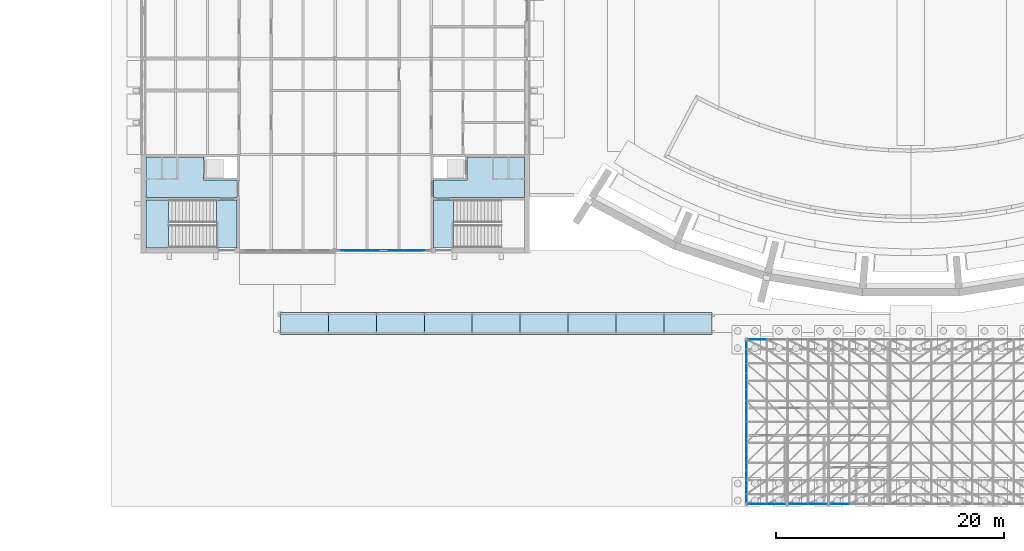
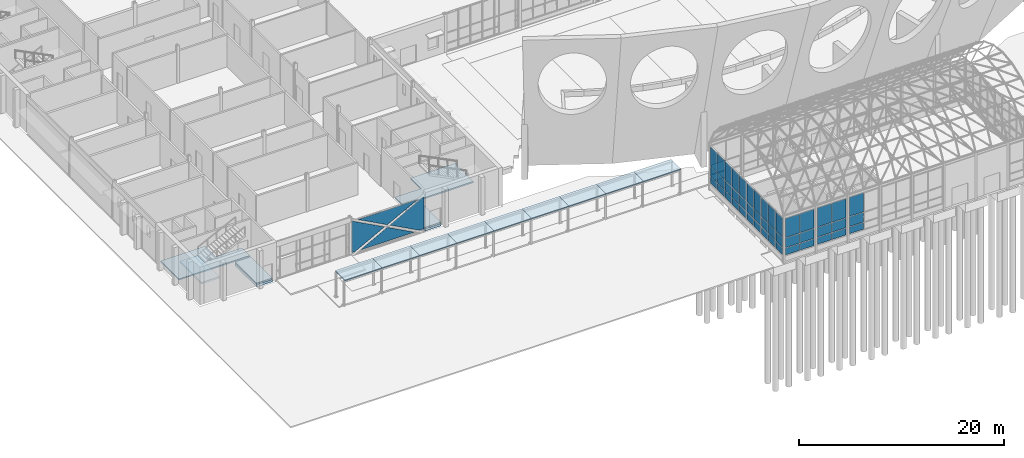
# One storey, part 71 of 116: 51 plates, 16 slabs, 7 elements without a shape of their own.
"""IFC4 building model written with IfcOpenShell, lengths in metres."""

from ifc_helpers import new_model, si_unit, direction, frame, origin, origin_2d, place, context, subcontext, project, spatial, polyline, rectangle, outline, extrude, material, layer, layer_set, type_object, element, aggregate, save


model = new_model("IFC4")

# Units and contexts
model_context = context("Model", 3, precision=1e-05, world=origin(), true_north=direction((0.0, 1.0)))
body_context = subcontext(model_context, "Body", "Model", "MODEL_VIEW")
ifc_project = project(units=[si_unit("LENGTHUNIT", "METRE"), si_unit("AREAUNIT", "SQUARE_METRE"), si_unit("VOLUMEUNIT", "CUBIC_METRE"), si_unit("PLANEANGLEUNIT", "RADIAN"), si_unit("MASSUNIT", "GRAM", prefix="KILO")], contexts=[model_context])

# Site, building, storey
site_placement = place(None, origin())
site = spatial("IfcSite", under=ifc_project, at=site_placement, CompositionType="ELEMENT")
building_placement = place(site_placement, origin())
building = spatial("IfcBuilding", under=site, at=building_placement, Name="Ardhachandra Cancer Care Centre", CompositionType="ELEMENT")
storey_placement = place(building_placement, origin())
storey = spatial("IfcBuildingStorey", under=building, at=storey_placement, Name="L00", CompositionType="ELEMENT", Elevation=0.0)

# Slabs
ifc_material_1 = material(Name="Concrete M40", Category="concrete")
ifc_layer_1 = layer(ifc_material_1, 0.14990234375)
ifc_layer_set_1 = layer_set([ifc_layer_1], Name="Concrete M40")
slab_type_1 = type_object("IfcSlabType", Name="Core floor slab 150", PredefinedType="FLOOR", material=ifc_layer_set_1)
slab_1_placement = place(storey_placement, frame((0.0, 0.0, -0.14990234375)))
element("IfcSlab", 1, at=slab_1_placement, inside=storey, type_object=slab_type_1, Name="Core floor slab K1 L00 1", PredefinedType="FLOOR", context=body_context, shape_type="SweptSolid", body=[
    extrude(outline(polyline([(17.22509765625, 29.625), (17.22509765625, 33.824951171875), (19.0, 33.824951171875), (19.0, 29.625), (17.22509765625, 29.625)])), origin(), (0.0, 0.0, 1.0), 0.14990234375),
])
slab_2_placement = place(storey_placement, frame((0.0, 0.0, -0.14990234375)))
element("IfcSlab", 2, at=slab_2_placement, inside=storey, type_object=slab_type_1, Name="Core floor slab K1 L00 2", PredefinedType="FLOOR", context=body_context, shape_type="SweptSolid", body=[
    extrude(outline(polyline([(16.050048828125, 37.60009765625), (16.050048828125, 35.75), (16.050048828125, 35.550048828125), (19.0, 35.550048828125), (19.0, 34.02490234375), (11.02490234375, 34.02490234375), (11.02490234375, 37.60009765625), (16.050048828125, 37.60009765625)])), origin(), (0.0, 0.0, 1.0), 0.14990234375),
])
slab_3_placement = place(storey_placement, frame((0.0, 0.0, -0.14990234375)))
element("IfcSlab", 3, at=slab_3_placement, inside=storey, type_object=slab_type_1, Name="Core floor slab K2 L00 1", PredefinedType="FLOOR", context=body_context, shape_type="SweptSolid", body=[
    extrude(outline(polyline([(36.199951171875, 33.824951171875), (37.97509765625, 33.824951171875), (37.97509765625, 29.625), (36.199951171875, 29.625), (36.199951171875, 33.824951171875)])), origin(), (0.0, 0.0, 1.0), 0.14990234375),
])
slab_4_placement = place(storey_placement, frame((0.0, 0.0, -0.14990234375)))
element("IfcSlab", 4, at=slab_4_placement, inside=storey, type_object=slab_type_1, Name="Core floor slab K2 L00 2", PredefinedType="FLOOR", context=body_context, shape_type="SweptSolid", body=[
    extrude(outline(polyline([(44.175048828125, 34.02490234375), (36.199951171875, 34.02490234375), (36.199951171875, 35.550048828125), (39.14990234375, 35.550048828125), (39.14990234375, 35.75), (39.14990234375, 37.60009765625), (44.175048828125, 37.60009765625), (44.175048828125, 34.02490234375)])), origin(), (0.0, 0.0, 1.0), 0.14990234375),
])
ifc_material_2 = material(Name="Concrete M40", Category="concrete")
ifc_layer_2 = layer(ifc_material_2, 0.300048828125)
ifc_layer_set_2 = layer_set([ifc_layer_2], Name="Concrete M40")
slab_type_2 = type_object("IfcSlabType", Name="Core stair edge slab 300", PredefinedType="FLOOR", material=ifc_layer_set_2)
slab_5_placement = place(storey_placement, frame((0.0, 0.0, -0.449951171875)))
element("IfcSlab", 5, at=slab_5_placement, inside=storey, type_object=slab_type_2, Name="Core stair edge slab K1 L00", PredefinedType="FLOOR", context=body_context, shape_type="SweptSolid", body=[
    extrude(outline(polyline([(17.22509765625, 33.824951171875), (19.0, 33.824951171875), (19.0, 29.625), (17.22509765625, 29.625), (17.22509765625, 33.824951171875)])), origin(), (0.0, 0.0, 1.0), 0.300048828125),
])
slab_6_placement = place(storey_placement, frame((0.0, 0.0, -0.449951171875)))
element("IfcSlab", 6, at=slab_6_placement, inside=storey, type_object=slab_type_2, Name="Core stair edge slab K2 L00", PredefinedType="FLOOR", context=body_context, shape_type="SweptSolid", body=[
    extrude(outline(polyline([(36.199951171875, 29.625), (36.199951171875, 33.824951171875), (37.97509765625, 33.824951171875), (37.97509765625, 29.625), (36.199951171875, 29.625)])), origin(), (0.0, 0.0, 1.0), 0.300048828125),
])

# Curtain wall, plates
ifc_material_3 = material(Name="Aluminium extrusion", Category="aluminium")
ifc_layer_3 = layer(ifc_material_3, 0.14990234375)
ifc_layer_set_3 = layer_set([ifc_layer_3], Name="Aluminium extrusion")
curtain_wall_type = type_object("IfcCurtainWallType", Name="Curtain wall run", PredefinedType="NOTDEFINED", material=ifc_layer_set_3)
curtain_wall_1_placement = place(storey_placement, origin())
curtain_wall_1 = element("IfcCurtainWall", 7, at=curtain_wall_1_placement, inside=storey, type_object=curtain_wall_type, Name="Curtain wall L00 s/0027600_0029400", PredefinedType="NOTDEFINED")
ifc_material_4 = material(Name="Low-iron double-glazed unit")
ifc_layer_4 = layer(ifc_material_4, 0.028076171875)
ifc_layer_set_4 = layer_set([ifc_layer_4], Name="Low-iron double-glazed unit")
plate_type_1 = type_object("IfcPlateType", Name="Curtain wall glazing 28", PredefinedType="CURTAIN_PANEL", material=ifc_layer_set_4)
plate_1_placement = place(storey_placement, frame((35.93994140625, 29.39990234375, 3.7900390625), z_axis=(0.0, 1.0, 0.0), x_axis=(0.0, 0.0, -1.0)))
plate_1 = element("IfcPlate", 8, at=plate_1_placement, type_object=plate_type_1, Name="CW panel 1.1", PredefinedType="CURTAIN_PANEL", context=body_context, shape_type="SweptSolid", body=[
    extrude(outline(polyline([(0.0, 0.0), (3.72998046875, 0.0), (3.72998046875, 0.50732421875), (1.93994140625, 3.848876953125), (0.0, 0.2275390625), (0.0, 0.0)])), origin(), (0.0, 0.0, 1.0), 0.028076171875),
])
plate_2_placement = place(storey_placement, frame((35.130126953125, 29.39990234375, 3.7900390625), z_axis=(0.0, 1.0, 0.0), x_axis=(-0.881483812908, 0.0, -0.47221423907)))
plate_2 = element("IfcPlate", 9, at=plate_2_placement, type_object=plate_type_1, Name="CW panel 1.1", PredefinedType="CURTAIN_PANEL", context=body_context, shape_type="SweptSolid", body=[
    extrude(outline(polyline([(0.0, 0.0), (3.77783203125, 0.0), (5.87109375, 3.14501953125), (0.0, 0.0)])), frame((0.0, 0.0, -0.028076171875)), (0.0, 0.0, 1.0), 0.028076171875),
])
plate_3_placement = place(storey_placement, frame((27.81005859375, 29.39990234375, 0.06005859375), z_axis=(0.0, 1.0, 0.0), x_axis=(0.0, 0.0, 1.0)))
plate_3 = element("IfcPlate", 10, at=plate_3_placement, type_object=plate_type_1, Name="CW panel 1.1", PredefinedType="CURTAIN_PANEL", context=body_context, shape_type="SweptSolid", body=[
    extrude(outline(polyline([(0.0, 0.0), (3.72998046875, 0.0), (3.72998046875, 0.077392578125), (1.7900390625, 3.69873046875), (0.0, 0.357421875), (0.0, 0.0)])), origin(), (0.0, 0.0, 1.0), 0.028076171875),
])
plate_4_placement = place(storey_placement, frame((28.749755859375, 29.39990234375, 0.06005859375), z_axis=(0.0, 1.0, 0.0), x_axis=(0.881486263061, 0.0, 0.472209665333)))
plate_4 = element("IfcPlate", 11, at=plate_4_placement, type_object=plate_type_1, Name="CW panel 1.1", PredefinedType="CURTAIN_PANEL", context=body_context, shape_type="SweptSolid", body=[
    extrude(outline(polyline([(0.0, 0.0), (3.46044921875, 0.0), (5.37744140625, 2.880615234375), (0.0, 0.0)])), frame((0.0, 0.0, -0.028076171875)), (0.0, 0.0, 1.0), 0.028076171875),
])
aggregate(curtain_wall_1, [plate_1, plate_2, plate_3, plate_4])

curtain_wall_2_placement = place(storey_placement, origin())
curtain_wall_2 = element("IfcCurtainWall", 12, at=curtain_wall_2_placement, inside=storey, type_object=curtain_wall_type, Name="Curtain wall L00 s/0063600_0007200", PredefinedType="NOTDEFINED")
plate_5_placement = place(storey_placement, frame((64.572509765625, 7.199951171875, 1.5302734375), z_axis=(0.0, 0.0, 1.0), x_axis=(1.0, 0.0, 0.0)))
plate_5 = element("IfcPlate", 13, at=plate_5_placement, type_object=plate_type_1, Name="CW panel 1.2", PredefinedType="CURTAIN_PANEL", context=body_context, shape_type="SweptSolid", body=[
    extrude(rectangle(XDim=1.594970703125, YDim=0.028076171875, at=origin_2d()), origin(), (0.0, 0.0, 1.0), 1.139892578125),
])
plate_6_placement = place(storey_placement, frame((64.572509765625, 7.199951171875, 2.72998046875), z_axis=(0.0, 0.0, 1.0), x_axis=(1.0, 0.0, 0.0)))
plate_6 = element("IfcPlate", 14, at=plate_6_placement, type_object=plate_type_1, Name="CW panel 1.3", PredefinedType="CURTAIN_PANEL", context=body_context, shape_type="SweptSolid", body=[
    extrude(rectangle(XDim=1.594970703125, YDim=0.028076171875, at=origin_2d()), origin(), (0.0, 0.0, 1.0), 2.260009765625),
])
plate_7_placement = place(storey_placement, frame((66.2275390625, 7.199951171875, 1.5302734375), z_axis=(0.0, 0.0, 1.0), x_axis=(1.0, 0.0, 0.0)))
plate_7 = element("IfcPlate", 15, at=plate_7_placement, type_object=plate_type_1, Name="CW panel 2.2", PredefinedType="CURTAIN_PANEL", context=body_context, shape_type="SweptSolid", body=[
    extrude(rectangle(XDim=1.594970703125, YDim=0.028076171875, at=origin_2d()), origin(), (0.0, 0.0, 1.0), 1.139892578125),
])
plate_8_placement = place(storey_placement, frame((66.2275390625, 7.199951171875, 2.72998046875), z_axis=(0.0, 0.0, 1.0), x_axis=(1.0, 0.0, 0.0)))
plate_8 = element("IfcPlate", 16, at=plate_8_placement, type_object=plate_type_1, Name="CW panel 2.3", PredefinedType="CURTAIN_PANEL", context=body_context, shape_type="SweptSolid", body=[
    extrude(rectangle(XDim=1.594970703125, YDim=0.028076171875, at=origin_2d()), origin(), (0.0, 0.0, 1.0), 2.260009765625),
])

curtain_wall_3_placement = place(storey_placement, origin())
curtain_wall_3 = element("IfcCurtainWall", 17, at=curtain_wall_3_placement, inside=storey, type_object=curtain_wall_type, Name="Curtain wall L00 s/0067200_0007200", PredefinedType="NOTDEFINED")
plate_9_placement = place(storey_placement, frame((68.172607421875, 7.199951171875, 1.5302734375), z_axis=(0.0, 0.0, 1.0), x_axis=(1.0, 0.0, 0.0)))
plate_9 = element("IfcPlate", 18, at=plate_9_placement, type_object=plate_type_1, Name="CW panel 1.2", PredefinedType="CURTAIN_PANEL", context=body_context, shape_type="SweptSolid", body=[
    extrude(rectangle(XDim=1.594970703125, YDim=0.028076171875, at=origin_2d()), origin(), (0.0, 0.0, 1.0), 1.139892578125),
])
plate_10_placement = place(storey_placement, frame((68.172607421875, 7.199951171875, 2.72998046875), z_axis=(0.0, 0.0, 1.0), x_axis=(1.0, 0.0, 0.0)))
plate_10 = element("IfcPlate", 19, at=plate_10_placement, type_object=plate_type_1, Name="CW panel 1.3", PredefinedType="CURTAIN_PANEL", context=body_context, shape_type="SweptSolid", body=[
    extrude(rectangle(XDim=1.594970703125, YDim=0.028076171875, at=origin_2d()), origin(), (0.0, 0.0, 1.0), 2.260009765625),
])
plate_11_placement = place(storey_placement, frame((69.827392578125, 7.199951171875, 1.5302734375), z_axis=(0.0, 0.0, 1.0), x_axis=(1.0, 0.0, 0.0)))
plate_11 = element("IfcPlate", 20, at=plate_11_placement, type_object=plate_type_1, Name="CW panel 2.2", PredefinedType="CURTAIN_PANEL", context=body_context, shape_type="SweptSolid", body=[
    extrude(rectangle(XDim=1.594970703125, YDim=0.028076171875, at=origin_2d()), origin(), (0.0, 0.0, 1.0), 1.139892578125),
])
plate_12_placement = place(storey_placement, frame((69.827392578125, 7.199951171875, 2.72998046875), z_axis=(0.0, 0.0, 1.0), x_axis=(1.0, 0.0, 0.0)))
plate_12 = element("IfcPlate", 21, at=plate_12_placement, type_object=plate_type_1, Name="CW panel 2.3", PredefinedType="CURTAIN_PANEL", context=body_context, shape_type="SweptSolid", body=[
    extrude(rectangle(XDim=1.594970703125, YDim=0.028076171875, at=origin_2d()), origin(), (0.0, 0.0, 1.0), 2.260009765625),
])

# Curtain wall, plate
curtain_wall_4_placement = place(storey_placement, origin())
curtain_wall_4 = element("IfcCurtainWall", 22, at=curtain_wall_4_placement, inside=storey, type_object=curtain_wall_type, Name="Curtain wall L00 n/0063600_0021600", PredefinedType="NOTDEFINED")
plate_13_placement = place(storey_placement, frame((64.572509765625, 21.60009765625, 1.5302734375), z_axis=(0.0, 0.0, 1.0), x_axis=(1.0, 0.0, 0.0)))
plate_13 = element("IfcPlate", 23, at=plate_13_placement, type_object=plate_type_1, Name="CW panel 1.2", PredefinedType="CURTAIN_PANEL", context=body_context, shape_type="SweptSolid", body=[
    extrude(rectangle(XDim=1.594970703125, YDim=0.028076171875, at=origin_2d()), origin(), (0.0, 0.0, 1.0), 1.139892578125),
])

# Curtain wall, plates
curtain_wall_5_placement = place(storey_placement, origin())
curtain_wall_5 = element("IfcCurtainWall", 24, at=curtain_wall_5_placement, inside=storey, type_object=curtain_wall_type, Name="Curtain wall L00 w/0063600_0007200", PredefinedType="NOTDEFINED")
plate_14_placement = place(storey_placement, frame((63.60009765625, 8.03857421875, 1.5302734375), z_axis=(0.0, 0.0, 1.0), x_axis=(0.0, 1.0, 0.0)))
plate_14 = element("IfcPlate", 25, at=plate_14_placement, type_object=plate_type_1, Name="CW panel 1.2", PredefinedType="CURTAIN_PANEL", context=body_context, shape_type="SweptSolid", body=[
    extrude(rectangle(XDim=1.326904296875, YDim=0.028076171875, at=origin_2d()), origin(), (0.0, 0.0, 1.0), 1.139892578125),
])
plate_15_placement = place(storey_placement, frame((63.60009765625, 8.03857421875, 2.72998046875), z_axis=(0.0, 0.0, 1.0), x_axis=(0.0, 1.0, 0.0)))
plate_15 = element("IfcPlate", 26, at=plate_15_placement, type_object=plate_type_1, Name="CW panel 1.3", PredefinedType="CURTAIN_PANEL", context=body_context, shape_type="SweptSolid", body=[
    extrude(rectangle(XDim=1.326904296875, YDim=0.028076171875, at=origin_2d()), origin(), (0.0, 0.0, 1.0), 2.260009765625),
])
plate_16_placement = place(storey_placement, frame((63.60009765625, 9.4404296875, 1.5302734375), z_axis=(0.0, 0.0, 1.0), x_axis=(0.0, 1.0, 0.0)))
plate_16 = element("IfcPlate", 27, at=plate_16_placement, type_object=plate_type_1, Name="CW panel 2.2", PredefinedType="CURTAIN_PANEL", context=body_context, shape_type="SweptSolid", body=[
    extrude(rectangle(XDim=1.35693359375, YDim=0.028076171875, at=origin_2d()), origin(), (0.0, 0.0, 1.0), 1.139892578125),
])
plate_17_placement = place(storey_placement, frame((63.60009765625, 9.4404296875, 2.72998046875), z_axis=(0.0, 0.0, 1.0), x_axis=(0.0, 1.0, 0.0)))
plate_17 = element("IfcPlate", 28, at=plate_17_placement, type_object=plate_type_1, Name="CW panel 2.3", PredefinedType="CURTAIN_PANEL", context=body_context, shape_type="SweptSolid", body=[
    extrude(rectangle(XDim=1.35693359375, YDim=0.028076171875, at=origin_2d()), origin(), (0.0, 0.0, 1.0), 2.260009765625),
])
plate_18_placement = place(storey_placement, frame((63.60009765625, 10.857421875, 1.5302734375), z_axis=(0.0, 0.0, 1.0), x_axis=(0.0, 1.0, 0.0)))
plate_18 = element("IfcPlate", 29, at=plate_18_placement, type_object=plate_type_1, Name="CW panel 3.2", PredefinedType="CURTAIN_PANEL", context=body_context, shape_type="SweptSolid", body=[
    extrude(rectangle(XDim=1.35693359375, YDim=0.028076171875, at=origin_2d()), origin(), (0.0, 0.0, 1.0), 1.139892578125),
])
plate_19_placement = place(storey_placement, frame((63.60009765625, 10.857421875, 2.72998046875), z_axis=(0.0, 0.0, 1.0), x_axis=(0.0, 1.0, 0.0)))
plate_19 = element("IfcPlate", 30, at=plate_19_placement, type_object=plate_type_1, Name="CW panel 3.3", PredefinedType="CURTAIN_PANEL", context=body_context, shape_type="SweptSolid", body=[
    extrude(rectangle(XDim=1.35693359375, YDim=0.028076171875, at=origin_2d()), origin(), (0.0, 0.0, 1.0), 2.260009765625),
])
plate_20_placement = place(storey_placement, frame((63.60009765625, 12.2744140625, 1.5302734375), z_axis=(0.0, 0.0, 1.0), x_axis=(0.0, 1.0, 0.0)))
plate_20 = element("IfcPlate", 31, at=plate_20_placement, type_object=plate_type_1, Name="CW panel 4.2", PredefinedType="CURTAIN_PANEL", context=body_context, shape_type="SweptSolid", body=[
    extrude(rectangle(XDim=1.35693359375, YDim=0.028076171875, at=origin_2d()), origin(), (0.0, 0.0, 1.0), 1.139892578125),
])
plate_21_placement = place(storey_placement, frame((63.60009765625, 12.2744140625, 2.72998046875), z_axis=(0.0, 0.0, 1.0), x_axis=(0.0, 1.0, 0.0)))
plate_21 = element("IfcPlate", 32, at=plate_21_placement, type_object=plate_type_1, Name="CW panel 4.3", PredefinedType="CURTAIN_PANEL", context=body_context, shape_type="SweptSolid", body=[
    extrude(rectangle(XDim=1.35693359375, YDim=0.028076171875, at=origin_2d()), origin(), (0.0, 0.0, 1.0), 2.260009765625),
])
plate_22_placement = place(storey_placement, frame((63.60009765625, 13.69140625, 1.5302734375), z_axis=(0.0, 0.0, 1.0), x_axis=(0.0, 1.0, 0.0)))
plate_22 = element("IfcPlate", 33, at=plate_22_placement, type_object=plate_type_1, Name="CW panel 5.2", PredefinedType="CURTAIN_PANEL", context=body_context, shape_type="SweptSolid", body=[
    extrude(rectangle(XDim=1.35693359375, YDim=0.028076171875, at=origin_2d()), origin(), (0.0, 0.0, 1.0), 1.139892578125),
])
plate_23_placement = place(storey_placement, frame((63.60009765625, 13.69140625, 2.72998046875), z_axis=(0.0, 0.0, 1.0), x_axis=(0.0, 1.0, 0.0)))
plate_23 = element("IfcPlate", 34, at=plate_23_placement, type_object=plate_type_1, Name="CW panel 5.3", PredefinedType="CURTAIN_PANEL", context=body_context, shape_type="SweptSolid", body=[
    extrude(rectangle(XDim=1.35693359375, YDim=0.028076171875, at=origin_2d()), origin(), (0.0, 0.0, 1.0), 2.260009765625),
])
plate_24_placement = place(storey_placement, frame((63.60009765625, 15.1083984375, 1.5302734375), z_axis=(0.0, 0.0, 1.0), x_axis=(0.0, 1.0, 0.0)))
plate_24 = element("IfcPlate", 35, at=plate_24_placement, type_object=plate_type_1, Name="CW panel 6.2", PredefinedType="CURTAIN_PANEL", context=body_context, shape_type="SweptSolid", body=[
    extrude(rectangle(XDim=1.35693359375, YDim=0.028076171875, at=origin_2d()), origin(), (0.0, 0.0, 1.0), 1.139892578125),
])
plate_25_placement = place(storey_placement, frame((63.60009765625, 15.1083984375, 2.72998046875), z_axis=(0.0, 0.0, 1.0), x_axis=(0.0, 1.0, 0.0)))
plate_25 = element("IfcPlate", 36, at=plate_25_placement, type_object=plate_type_1, Name="CW panel 6.3", PredefinedType="CURTAIN_PANEL", context=body_context, shape_type="SweptSolid", body=[
    extrude(rectangle(XDim=1.35693359375, YDim=0.028076171875, at=origin_2d()), origin(), (0.0, 0.0, 1.0), 2.260009765625),
])
plate_26_placement = place(storey_placement, frame((63.60009765625, 16.525390625, 1.5302734375), z_axis=(0.0, 0.0, 1.0), x_axis=(0.0, 1.0, 0.0)))
plate_26 = element("IfcPlate", 37, at=plate_26_placement, type_object=plate_type_1, Name="CW panel 7.2", PredefinedType="CURTAIN_PANEL", context=body_context, shape_type="SweptSolid", body=[
    extrude(rectangle(XDim=1.35693359375, YDim=0.028076171875, at=origin_2d()), origin(), (0.0, 0.0, 1.0), 1.139892578125),
])
plate_27_placement = place(storey_placement, frame((63.60009765625, 16.525390625, 2.72998046875), z_axis=(0.0, 0.0, 1.0), x_axis=(0.0, 1.0, 0.0)))
plate_27 = element("IfcPlate", 38, at=plate_27_placement, type_object=plate_type_1, Name="CW panel 7.3", PredefinedType="CURTAIN_PANEL", context=body_context, shape_type="SweptSolid", body=[
    extrude(rectangle(XDim=1.35693359375, YDim=0.028076171875, at=origin_2d()), origin(), (0.0, 0.0, 1.0), 2.260009765625),
])
plate_28_placement = place(storey_placement, frame((63.60009765625, 17.9423828125, 1.5302734375), z_axis=(0.0, 0.0, 1.0), x_axis=(0.0, 1.0, 0.0)))
plate_28 = element("IfcPlate", 39, at=plate_28_placement, type_object=plate_type_1, Name="CW panel 8.2", PredefinedType="CURTAIN_PANEL", context=body_context, shape_type="SweptSolid", body=[
    extrude(rectangle(XDim=1.35693359375, YDim=0.028076171875, at=origin_2d()), origin(), (0.0, 0.0, 1.0), 1.139892578125),
])
plate_29_placement = place(storey_placement, frame((63.60009765625, 17.9423828125, 2.72998046875), z_axis=(0.0, 0.0, 1.0), x_axis=(0.0, 1.0, 0.0)))
plate_29 = element("IfcPlate", 40, at=plate_29_placement, type_object=plate_type_1, Name="CW panel 8.3", PredefinedType="CURTAIN_PANEL", context=body_context, shape_type="SweptSolid", body=[
    extrude(rectangle(XDim=1.35693359375, YDim=0.028076171875, at=origin_2d()), origin(), (0.0, 0.0, 1.0), 2.260009765625),
])
plate_30_placement = place(storey_placement, frame((63.60009765625, 19.359619140625, 1.5302734375), z_axis=(0.0, 0.0, 1.0), x_axis=(0.0, 1.0, 0.0)))
plate_30 = element("IfcPlate", 41, at=plate_30_placement, type_object=plate_type_1, Name="CW panel 9.2", PredefinedType="CURTAIN_PANEL", context=body_context, shape_type="SweptSolid", body=[
    extrude(rectangle(XDim=1.35693359375, YDim=0.028076171875, at=origin_2d()), origin(), (0.0, 0.0, 1.0), 1.139892578125),
])
plate_31_placement = place(storey_placement, frame((63.60009765625, 19.359619140625, 2.72998046875), z_axis=(0.0, 0.0, 1.0), x_axis=(0.0, 1.0, 0.0)))
plate_31 = element("IfcPlate", 42, at=plate_31_placement, type_object=plate_type_1, Name="CW panel 9.3", PredefinedType="CURTAIN_PANEL", context=body_context, shape_type="SweptSolid", body=[
    extrude(rectangle(XDim=1.35693359375, YDim=0.028076171875, at=origin_2d()), origin(), (0.0, 0.0, 1.0), 2.260009765625),
])
plate_32_placement = place(storey_placement, frame((63.60009765625, 20.761474609375, 1.5302734375), z_axis=(0.0, 0.0, 1.0), x_axis=(0.0, 1.0, 0.0)))
plate_32 = element("IfcPlate", 43, at=plate_32_placement, type_object=plate_type_1, Name="CW panel 10.2", PredefinedType="CURTAIN_PANEL", context=body_context, shape_type="SweptSolid", body=[
    extrude(rectangle(XDim=1.326904296875, YDim=0.028076171875, at=origin_2d()), origin(), (0.0, 0.0, 1.0), 1.139892578125),
])
plate_33_placement = place(storey_placement, frame((63.60009765625, 20.761474609375, 2.72998046875), z_axis=(0.0, 0.0, 1.0), x_axis=(0.0, 1.0, 0.0)))
plate_33 = element("IfcPlate", 44, at=plate_33_placement, type_object=plate_type_1, Name="CW panel 10.3", PredefinedType="CURTAIN_PANEL", context=body_context, shape_type="SweptSolid", body=[
    extrude(rectangle(XDim=1.326904296875, YDim=0.028076171875, at=origin_2d()), origin(), (0.0, 0.0, 1.0), 2.260009765625),
])

# Plate
ifc_material_5 = material(Name="Aluminium composite spandrel panel", Category="aluminium")
ifc_layer_5 = layer(ifc_material_5, 0.028076171875)
ifc_layer_set_5 = layer_set([ifc_layer_5], Name="Aluminium composite spandrel panel")
plate_type_2 = type_object("IfcPlateType", Name="Curtain wall spandrel panel 28", PredefinedType="CURTAIN_PANEL", material=ifc_layer_set_5)
plate_34_placement = place(storey_placement, frame((64.572509765625, 7.199951171875, 0.659912109375), z_axis=(0.0, 0.0, 1.0), x_axis=(1.0, 0.0, 0.0)))
plate_34 = element("IfcPlate", 45, at=plate_34_placement, type_object=plate_type_2, Name="CW panel 1.1", PredefinedType="CURTAIN_PANEL", context=body_context, shape_type="SweptSolid", body=[
    extrude(rectangle(XDim=1.594970703125, YDim=0.028076171875, at=origin_2d()), origin(), (0.0, 0.0, 1.0), 0.81005859375),
])

plate_35_placement = place(storey_placement, frame((66.2275390625, 7.199951171875, 0.659912109375), z_axis=(0.0, 0.0, 1.0), x_axis=(1.0, 0.0, 0.0)))
plate_35 = element("IfcPlate", 46, at=plate_35_placement, type_object=plate_type_2, Name="CW panel 2.1", PredefinedType="CURTAIN_PANEL", context=body_context, shape_type="SweptSolid", body=[
    extrude(rectangle(XDim=1.594970703125, YDim=0.028076171875, at=origin_2d()), origin(), (0.0, 0.0, 1.0), 0.81005859375),
])

aggregate(curtain_wall_2, [plate_34, plate_5, plate_6, plate_35, plate_7, plate_8])

plate_36_placement = place(storey_placement, frame((68.172607421875, 7.199951171875, 0.659912109375), z_axis=(0.0, 0.0, 1.0), x_axis=(1.0, 0.0, 0.0)))
plate_36 = element("IfcPlate", 47, at=plate_36_placement, type_object=plate_type_2, Name="CW panel 1.1", PredefinedType="CURTAIN_PANEL", context=body_context, shape_type="SweptSolid", body=[
    extrude(rectangle(XDim=1.594970703125, YDim=0.028076171875, at=origin_2d()), origin(), (0.0, 0.0, 1.0), 0.81005859375),
])

plate_37_placement = place(storey_placement, frame((69.827392578125, 7.199951171875, 0.659912109375), z_axis=(0.0, 0.0, 1.0), x_axis=(1.0, 0.0, 0.0)))
plate_37 = element("IfcPlate", 48, at=plate_37_placement, type_object=plate_type_2, Name="CW panel 2.1", PredefinedType="CURTAIN_PANEL", context=body_context, shape_type="SweptSolid", body=[
    extrude(rectangle(XDim=1.594970703125, YDim=0.028076171875, at=origin_2d()), origin(), (0.0, 0.0, 1.0), 0.81005859375),
])

aggregate(curtain_wall_3, [plate_36, plate_9, plate_10, plate_37, plate_11, plate_12])

# Curtain wall, plates
curtain_wall_6_placement = place(storey_placement, origin())
curtain_wall_6 = element("IfcCurtainWall", 49, at=curtain_wall_6_placement, inside=storey, type_object=curtain_wall_type, Name="Curtain wall L00 s/0070800_0007200", PredefinedType="NOTDEFINED")
plate_38_placement = place(storey_placement, frame((71.7724609375, 7.199951171875, 0.659912109375), z_axis=(0.0, 0.0, 1.0), x_axis=(1.0, 0.0, 0.0)))
plate_38 = element("IfcPlate", 50, at=plate_38_placement, type_object=plate_type_2, Name="CW panel 1.1", PredefinedType="CURTAIN_PANEL", context=body_context, shape_type="SweptSolid", body=[
    extrude(rectangle(XDim=1.594970703125, YDim=0.028076171875, at=origin_2d()), origin(), (0.0, 0.0, 1.0), 0.81005859375),
])
plate_39_placement = place(storey_placement, frame((71.7724609375, 7.199951171875, 1.5302734375), z_axis=(0.0, 0.0, 1.0), x_axis=(1.0, 0.0, 0.0)))
plate_39 = element("IfcPlate", 51, at=plate_39_placement, type_object=plate_type_2, Name="CW panel 1.2", PredefinedType="CURTAIN_PANEL", context=body_context, shape_type="SweptSolid", body=[
    extrude(rectangle(XDim=1.594970703125, YDim=0.028076171875, at=origin_2d()), origin(), (0.0, 0.0, 1.0), 1.139892578125),
])
plate_40_placement = place(storey_placement, frame((71.7724609375, 7.199951171875, 2.72998046875), z_axis=(0.0, 0.0, 1.0), x_axis=(1.0, 0.0, 0.0)))
plate_40 = element("IfcPlate", 52, at=plate_40_placement, type_object=plate_type_2, Name="CW panel 1.3", PredefinedType="CURTAIN_PANEL", context=body_context, shape_type="SweptSolid", body=[
    extrude(rectangle(XDim=1.594970703125, YDim=0.028076171875, at=origin_2d()), origin(), (0.0, 0.0, 1.0), 2.260009765625),
])
aggregate(curtain_wall_6, [plate_38, plate_39, plate_40])

# Plate
plate_41_placement = place(storey_placement, frame((64.572509765625, 21.60009765625, 0.659912109375), z_axis=(0.0, 0.0, 1.0), x_axis=(1.0, 0.0, 0.0)))
plate_41 = element("IfcPlate", 53, at=plate_41_placement, type_object=plate_type_2, Name="CW panel 1.1", PredefinedType="CURTAIN_PANEL", context=body_context, shape_type="SweptSolid", body=[
    extrude(rectangle(XDim=1.594970703125, YDim=0.028076171875, at=origin_2d()), origin(), (0.0, 0.0, 1.0), 0.81005859375),
])

aggregate(curtain_wall_4, [plate_41, plate_13])

plate_42_placement = place(storey_placement, frame((63.60009765625, 8.03857421875, 0.659912109375), z_axis=(0.0, 0.0, 1.0), x_axis=(0.0, 1.0, 0.0)))
plate_42 = element("IfcPlate", 54, at=plate_42_placement, type_object=plate_type_2, Name="CW panel 1.1", PredefinedType="CURTAIN_PANEL", context=body_context, shape_type="SweptSolid", body=[
    extrude(rectangle(XDim=1.326904296875, YDim=0.028076171875, at=origin_2d()), origin(), (0.0, 0.0, 1.0), 0.81005859375),
])

plate_43_placement = place(storey_placement, frame((63.60009765625, 9.4404296875, 0.659912109375), z_axis=(0.0, 0.0, 1.0), x_axis=(0.0, 1.0, 0.0)))
plate_43 = element("IfcPlate", 55, at=plate_43_placement, type_object=plate_type_2, Name="CW panel 2.1", PredefinedType="CURTAIN_PANEL", context=body_context, shape_type="SweptSolid", body=[
    extrude(rectangle(XDim=1.35693359375, YDim=0.028076171875, at=origin_2d()), origin(), (0.0, 0.0, 1.0), 0.81005859375),
])

plate_44_placement = place(storey_placement, frame((63.60009765625, 10.857421875, 0.659912109375), z_axis=(0.0, 0.0, 1.0), x_axis=(0.0, 1.0, 0.0)))
plate_44 = element("IfcPlate", 56, at=plate_44_placement, type_object=plate_type_2, Name="CW panel 3.1", PredefinedType="CURTAIN_PANEL", context=body_context, shape_type="SweptSolid", body=[
    extrude(rectangle(XDim=1.35693359375, YDim=0.028076171875, at=origin_2d()), origin(), (0.0, 0.0, 1.0), 0.81005859375),
])

plate_45_placement = place(storey_placement, frame((63.60009765625, 12.2744140625, 0.659912109375), z_axis=(0.0, 0.0, 1.0), x_axis=(0.0, 1.0, 0.0)))
plate_45 = element("IfcPlate", 57, at=plate_45_placement, type_object=plate_type_2, Name="CW panel 4.1", PredefinedType="CURTAIN_PANEL", context=body_context, shape_type="SweptSolid", body=[
    extrude(rectangle(XDim=1.35693359375, YDim=0.028076171875, at=origin_2d()), origin(), (0.0, 0.0, 1.0), 0.81005859375),
])

plate_46_placement = place(storey_placement, frame((63.60009765625, 13.69140625, 0.659912109375), z_axis=(0.0, 0.0, 1.0), x_axis=(0.0, 1.0, 0.0)))
plate_46 = element("IfcPlate", 58, at=plate_46_placement, type_object=plate_type_2, Name="CW panel 5.1", PredefinedType="CURTAIN_PANEL", context=body_context, shape_type="SweptSolid", body=[
    extrude(rectangle(XDim=1.35693359375, YDim=0.028076171875, at=origin_2d()), origin(), (0.0, 0.0, 1.0), 0.81005859375),
])

plate_47_placement = place(storey_placement, frame((63.60009765625, 15.1083984375, 0.659912109375), z_axis=(0.0, 0.0, 1.0), x_axis=(0.0, 1.0, 0.0)))
plate_47 = element("IfcPlate", 59, at=plate_47_placement, type_object=plate_type_2, Name="CW panel 6.1", PredefinedType="CURTAIN_PANEL", context=body_context, shape_type="SweptSolid", body=[
    extrude(rectangle(XDim=1.35693359375, YDim=0.028076171875, at=origin_2d()), origin(), (0.0, 0.0, 1.0), 0.81005859375),
])

plate_48_placement = place(storey_placement, frame((63.60009765625, 16.525390625, 0.659912109375), z_axis=(0.0, 0.0, 1.0), x_axis=(0.0, 1.0, 0.0)))
plate_48 = element("IfcPlate", 60, at=plate_48_placement, type_object=plate_type_2, Name="CW panel 7.1", PredefinedType="CURTAIN_PANEL", context=body_context, shape_type="SweptSolid", body=[
    extrude(rectangle(XDim=1.35693359375, YDim=0.028076171875, at=origin_2d()), origin(), (0.0, 0.0, 1.0), 0.81005859375),
])

plate_49_placement = place(storey_placement, frame((63.60009765625, 17.9423828125, 0.659912109375), z_axis=(0.0, 0.0, 1.0), x_axis=(0.0, 1.0, 0.0)))
plate_49 = element("IfcPlate", 61, at=plate_49_placement, type_object=plate_type_2, Name="CW panel 8.1", PredefinedType="CURTAIN_PANEL", context=body_context, shape_type="SweptSolid", body=[
    extrude(rectangle(XDim=1.35693359375, YDim=0.028076171875, at=origin_2d()), origin(), (0.0, 0.0, 1.0), 0.81005859375),
])

plate_50_placement = place(storey_placement, frame((63.60009765625, 19.359619140625, 0.659912109375), z_axis=(0.0, 0.0, 1.0), x_axis=(0.0, 1.0, 0.0)))
plate_50 = element("IfcPlate", 62, at=plate_50_placement, type_object=plate_type_2, Name="CW panel 9.1", PredefinedType="CURTAIN_PANEL", context=body_context, shape_type="SweptSolid", body=[
    extrude(rectangle(XDim=1.35693359375, YDim=0.028076171875, at=origin_2d()), origin(), (0.0, 0.0, 1.0), 0.81005859375),
])

plate_51_placement = place(storey_placement, frame((63.60009765625, 20.761474609375, 0.659912109375), z_axis=(0.0, 0.0, 1.0), x_axis=(0.0, 1.0, 0.0)))
plate_51 = element("IfcPlate", 63, at=plate_51_placement, type_object=plate_type_2, Name="CW panel 10.1", PredefinedType="CURTAIN_PANEL", context=body_context, shape_type="SweptSolid", body=[
    extrude(rectangle(XDim=1.326904296875, YDim=0.028076171875, at=origin_2d()), origin(), (0.0, 0.0, 1.0), 0.81005859375),
])

aggregate(curtain_wall_5, [plate_42, plate_14, plate_15, plate_43, plate_16, plate_17, plate_44, plate_18, plate_19, plate_45, plate_20, plate_21, plate_46, plate_22, plate_23, plate_47, plate_24, plate_25, plate_48, plate_26, plate_27, plate_49, plate_28, plate_29, plate_50, plate_30, plate_31, plate_51, plate_32, plate_33])

# Stair, slab
ifc_material_6 = material(Name="Concrete M40", Category="concrete")
stair_type = type_object("IfcStairType", Name="Dog-leg stair 2000", PredefinedType="HALF_TURN_STAIR", material=ifc_material_6)
stair_placement = place(storey_placement, origin())
stair = element("IfcStair", 64, at=stair_placement, inside=storey, type_object=stair_type, Name="Stair K1 L00-L01", PredefinedType="HALF_TURN_STAIR")
ifc_material_7 = material(Name="Concrete M40", Category="concrete")
ifc_layer_6 = layer(ifc_material_7, 0.199951171875)
ifc_layer_set_6 = layer_set([ifc_layer_6], Name="Concrete M40")
slab_type_3 = type_object("IfcSlabType", Name="Stair landing 200", PredefinedType="LANDING", material=ifc_layer_set_6)
slab_7_placement = place(storey_placement, frame((0.0, 0.0, 2.050048828125)))
slab_7 = element("IfcSlab", 65, at=slab_7_placement, type_object=slab_type_3, Name="stair K1 L00-L01 landing 1", PredefinedType="LANDING", context=body_context, shape_type="SweptSolid", body=[
    extrude(outline(polyline([(11.02490234375, 29.625), (13.02490234375, 29.625), (13.02490234375, 33.824951171875), (11.02490234375, 33.824951171875), (11.02490234375, 29.625)])), origin(), (0.0, 0.0, 1.0), 0.199951171875),
])
aggregate(stair, [slab_7])

# Slabs
ifc_material_8 = material(Name="Concrete M30", Category="concrete")
ifc_layer_7 = layer(ifc_material_8, 0.1201171875)
ifc_layer_set_7 = layer_set([ifc_layer_7], Name="Concrete M30")
slab_type_4 = type_object("IfcSlabType", Name="Walk roof deck 120", PredefinedType="ROOF", material=ifc_layer_set_7)
slab_8_placement = place(storey_placement, frame((56.39990234375, 22.050048828125, 3.0), z_axis=(0.0, 0.0, 1.0), x_axis=(1.0, 0.0, 0.0)))
element("IfcSlab", 66, at=slab_8_placement, inside=storey, type_object=slab_type_4, Name="Walk roof deck 1", PredefinedType="ROOF", context=body_context, shape_type="SweptSolid", body=[
    extrude(outline(polyline([(0.0, 0.0), (4.2001953125, 0.0), (4.2001953125, 1.89990234375), (0.0, 1.89990234375), (0.0, 0.0)])), origin(), (0.0, 0.0, -1.0), 0.1201171875),
])
for number, where, z_axis, x_axis, name in (
    (67, (52.199951171875, 22.050048828125, 3.0), (0.0, 0.0, 1.0), (1.0, 0.0, 0.0), "Walk roof deck 2"),
    (68, (48.0, 22.050048828125, 3.0), (0.0, 0.0, 1.0), (1.0, 0.0, 0.0), "Walk roof deck 3"),
    (69, (43.800048828125, 22.050048828125, 3.0), (0.0, 0.0, 1.0), (1.0, 0.0, 0.0), "Walk roof deck 4"),
    (70, (39.60009765625, 22.050048828125, 3.0), (0.0, 0.0, 1.0), (1.0, 0.0, 0.0), "Walk roof deck 5"),
):
    element("IfcSlab", number, at=place(storey_placement, frame(where, z_axis=z_axis, x_axis=x_axis)), inside=storey, type_object=slab_type_4, Name=name, PredefinedType="ROOF", context=body_context, shape_type="SweptSolid", body=[
        extrude(outline(polyline([(0.0, 0.0), (4.199951171875, 0.0), (4.199951171875, 1.89990234375), (0.0, 1.89990234375), (0.0, 0.0)])), origin(), (0.0, 0.0, -1.0), 0.1201171875),
    ])
slab_9_placement = place(storey_placement, frame((35.39990234375, 22.050048828125, 3.0), z_axis=(0.0, 0.0, 1.0), x_axis=(1.0, 0.0, 0.0)))
element("IfcSlab", 71, at=slab_9_placement, inside=storey, type_object=slab_type_4, Name="Walk roof deck 6", PredefinedType="ROOF", context=body_context, shape_type="SweptSolid", body=[
    extrude(outline(polyline([(0.0, 0.0), (4.2001953125, 0.0), (4.2001953125, 1.89990234375), (0.0, 1.89990234375), (0.0, 0.0)])), origin(), (0.0, 0.0, -1.0), 0.1201171875),
])
for number, where, z_axis, x_axis, name in (
    (72, (31.199951171875, 22.050048828125, 3.0), (0.0, 0.0, 1.0), (1.0, 0.0, 0.0), "Walk roof deck 7"),
    (73, (27.0, 22.050048828125, 3.0), (0.0, 0.0, 1.0), (1.0, 0.0, 0.0), "Walk roof deck 8"),
    (74, (22.800048828125, 22.050048828125, 3.0), (0.0, 0.0, 1.0), (1.0, 0.0, 0.0), "Walk roof deck 9"),
):
    element("IfcSlab", number, at=place(storey_placement, frame(where, z_axis=z_axis, x_axis=x_axis)), inside=storey, type_object=slab_type_4, Name=name, PredefinedType="ROOF", context=body_context, shape_type="SweptSolid", body=[
        extrude(outline(polyline([(0.0, 0.0), (4.199951171875, 0.0), (4.199951171875, 1.89990234375), (0.0, 1.89990234375), (0.0, 0.0)])), origin(), (0.0, 0.0, -1.0), 0.1201171875),
    ])

save(model, "model.ifc")
